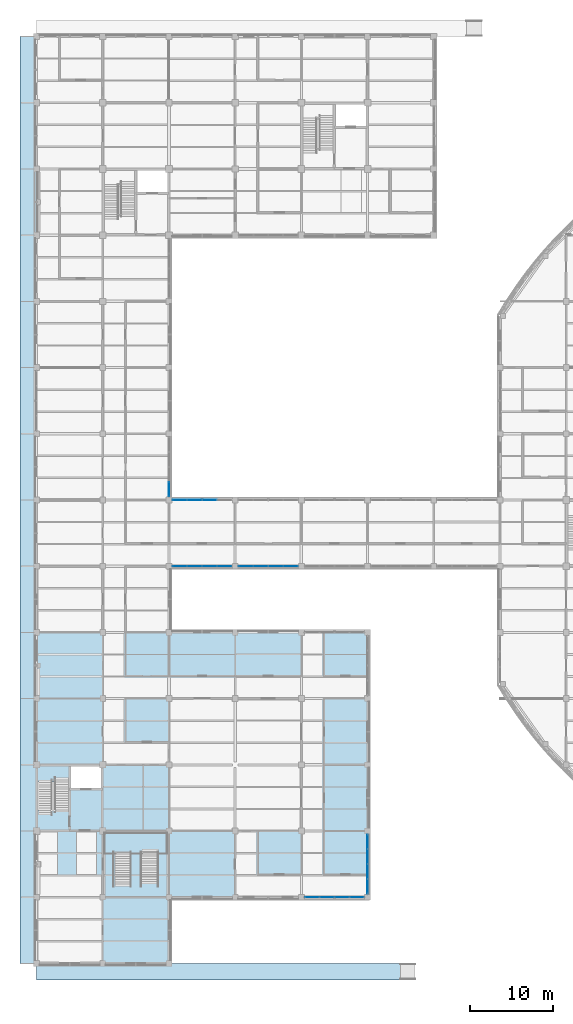
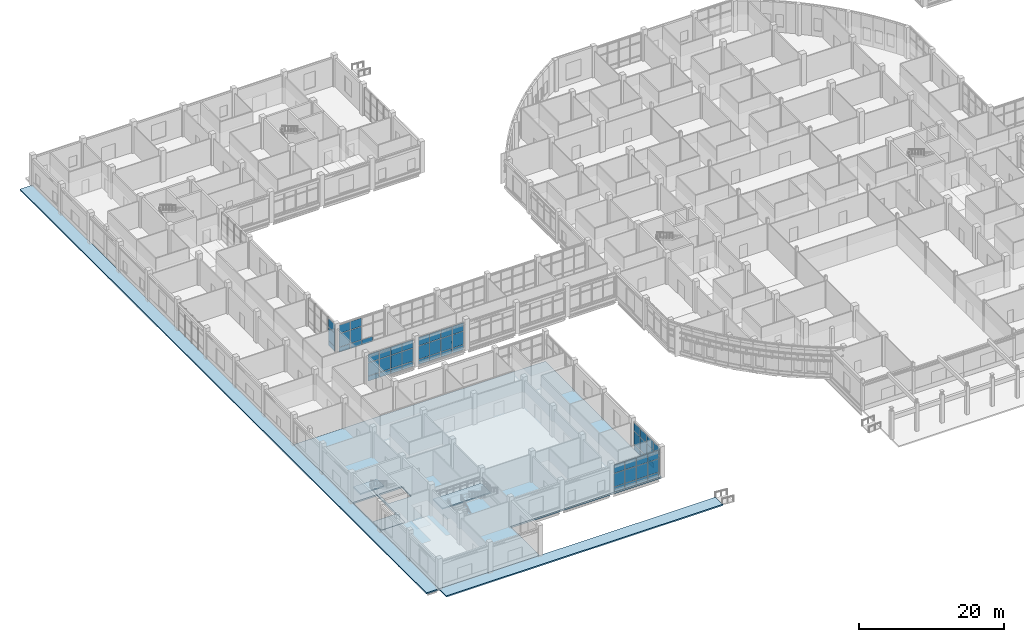
# One storey, part 48 of 105: 58 plates, 6 slabs, 8 elements without a shape of their own.
"""IFC4 building model written with IfcOpenShell, lengths in metres."""

import ifcopenshell
import ifcopenshell.guid

model = None  # the IFC model being written
_history = None  # IfcOwnerHistory: only IFC2X3 demands one
_inside = {}  # id of a spatial element -> (the spatial element, [elements in it])
_under = {}  # id of a project, library or spatial element -> (it, [spatial elements below it])
_declared = {}  # id of a project -> (the project, [libraries it declares])
_typed = {}  # id of a type object -> (the type object, [elements of that type])
_made_of = {}  # id of a material, layer set ... -> (it, [elements and type objects made of it])


def new_model(schema):
    """Start an empty IFC model of exactly this schema.

    Asked for "IFC4X3", IfcOpenShell would pick the latest addendum, in which some entities
    have other attributes; the version numbers below select the first issue.
    IFC2X3 requires an IfcOwnerHistory on every rooted entity: one is made here for all.
    """
    global model, _history
    if schema == "IFC4X3":
        model = ifcopenshell.file(schema_version=(4, 3, 0, 0))
    else:
        model = ifcopenshell.file(schema=schema)
    _inside.clear()
    _under.clear()
    _declared.clear()
    _typed.clear()
    _made_of.clear()
    _history = None
    if model.schema == "IFC2X3":
        org = make("IfcOrganization", Name="unknown")
        user = make(
            "IfcPersonAndOrganization",
            ThePerson=make("IfcPerson", FamilyName="unknown"),
            TheOrganization=org,
        )
        app = make(
            "IfcApplication",
            ApplicationDeveloper=org,
            Version="unknown",
            ApplicationFullName="unknown",
            ApplicationIdentifier="unknown",
        )
        _history = make(
            "IfcOwnerHistory",
            OwningUser=user,
            OwningApplication=app,
            ChangeAction="ADDED",
            CreationDate=0,
        )
    return model


def make(cls, **values):
    """One entity of the class cls with the attributes given. An attribute that is None is left unset."""
    return model.create_entity(
        cls, **{name: value for name, value in values.items() if value is not None}
    )


def rooted(cls, **values):
    """An entity with a GlobalId (a new one), such as an element, a storey or a relation."""
    return make(cls, GlobalId=ifcopenshell.guid.new(), OwnerHistory=_history, **values)


def si_unit(unit_type, name, prefix=None):
    """IfcSIUnit, for example si_unit("LENGTHUNIT", "METRE", prefix="MILLI")."""
    return make("IfcSIUnit", UnitType=unit_type, Prefix=prefix, Name=name)


def derived_unit(unit_type, elements):
    """IfcDerivedUnit: a product of units, each with its exponent."""
    return make(
        "IfcDerivedUnit",
        Elements=[
            make("IfcDerivedUnitElement", Unit=unit, Exponent=power)
            for unit, power in elements
        ],
        UnitType=unit_type,
    )


def assignment(units):
    """IfcUnitAssignment: the units of a project."""
    return None if units is None else make("IfcUnitAssignment", Units=units)


def point(xyz):
    """IfcCartesianPoint."""
    return None if xyz is None else make("IfcCartesianPoint", Coordinates=xyz)


def direction(xyz):
    """IfcDirection."""
    return None if xyz is None else make("IfcDirection", DirectionRatios=xyz)


def frame(location, z_axis=None, x_axis=None):
    """IfcAxis2Placement3D, a coordinate frame: its origin and axes. An axis left out is left unset."""
    return make(
        "IfcAxis2Placement3D",
        Location=point(location),
        Axis=direction(z_axis),
        RefDirection=direction(x_axis),
    )


def frame_2d(location, x_axis=None):
    """IfcAxis2Placement2D, a coordinate frame in the plane: its origin and x axis."""
    return make(
        "IfcAxis2Placement2D", Location=point(location), RefDirection=direction(x_axis)
    )


def origin():
    """The frame at (0, 0, 0) with its axes left unset."""
    return frame((0.0, 0.0, 0.0))


def origin_2d():
    """The frame at (0, 0) in the plane with its x axis left unset."""
    return frame_2d((0.0, 0.0))


def place(relative_to, where):
    """IfcLocalPlacement: puts the frame where relative to a parent placement (None: the world)."""
    return make(
        "IfcLocalPlacement", PlacementRelTo=relative_to, RelativePlacement=where
    )


def context(
    kind, dimensions, precision=None, world=None, true_north=None, identifier=None
):
    """IfcGeometricRepresentationContext, for example the 3D "Model" context."""
    return make(
        "IfcGeometricRepresentationContext",
        ContextIdentifier=identifier,
        ContextType=kind,
        CoordinateSpaceDimension=dimensions,
        Precision=precision,
        WorldCoordinateSystem=world,
        TrueNorth=true_north,
    )


def subcontext(parent, identifier, kind, view, scale=None):
    """IfcGeometricRepresentationSubContext, for example "Body" below "Model"."""
    return make(
        "IfcGeometricRepresentationSubContext",
        ContextIdentifier=identifier,
        ContextType=kind,
        ParentContext=parent,
        TargetScale=scale,
        TargetView=view,
    )


def project(units=None, contexts=None):
    """IfcProject with its units and contexts."""
    return rooted(
        "IfcProject",
        Name="project",
        RepresentationContexts=contexts,
        UnitsInContext=assignment(units),
    )


def spatial(cls, under=None, at=None, **own):
    """A site, building, storey or space (cls), placed at a placement, below another one or the project."""
    s = rooted(cls, ObjectPlacement=at, **own)
    if under is not None:
        _under.setdefault(under.id(), (under, []))[1].append(s)
    return s


def polyline(points):
    """IfcPolyline through the points."""
    return make("IfcPolyline", Points=[point(p) for p in points])


def profile(cls, at=None, kind="AREA", **sizes):
    """A parametric profile (cls). Its sizes go by their IFC names, for example OverallWidth=200.0."""
    return make(cls, ProfileType=kind, Position=at, **sizes)


def rectangle(**sizes):
    """IfcRectangleProfileDef."""
    return profile("IfcRectangleProfileDef", **sizes)


def outline(outer, holes=None, kind="AREA"):
    """IfcArbitraryClosedProfileDef: a profile drawn as a closed curve; with holes, ...WithVoids."""
    if holes is None:
        return make("IfcArbitraryClosedProfileDef", ProfileType=kind, OuterCurve=outer)
    return make(
        "IfcArbitraryProfileDefWithVoids",
        ProfileType=kind,
        OuterCurve=outer,
        InnerCurves=holes,
    )


def extrude(swept, where, along, depth):
    """IfcExtrudedAreaSolid: the profile swept, set in the frame where, extruded along a direction by depth."""
    return make(
        "IfcExtrudedAreaSolid",
        SweptArea=swept,
        Position=where,
        ExtrudedDirection=direction(along),
        Depth=depth,
    )


def shape(context_of_items, identifier, shape_type, items):
    """IfcShapeRepresentation: the items that make up one representation, for example the "Body"."""
    return make(
        "IfcShapeRepresentation",
        ContextOfItems=context_of_items,
        RepresentationIdentifier=identifier,
        RepresentationType=shape_type,
        Items=items,
    )


def material(Name=None, Category=None):
    """IfcMaterial."""
    return make("IfcMaterial", Name=Name, Category=Category)


def layer(
    of_material, thickness, ventilated=None, Name=None, Category=None, Priority=None
):
    """IfcMaterialLayer: one layer of a wall or slab, of a material (None: an air gap)."""
    return make(
        "IfcMaterialLayer",
        Material=of_material,
        LayerThickness=thickness,
        IsVentilated=ventilated,
        Name=Name,
        Category=Category,
        Priority=Priority,
    )


def layer_set(layers, Name=None):
    """IfcMaterialLayerSet."""
    return make("IfcMaterialLayerSet", MaterialLayers=layers, LayerSetName=Name)


def made_of(thing, what):
    """Note that an element or type object is made of a material, layer set ...; save() writes the relation."""
    if what is not None:
        _made_of.setdefault(what.id(), (what, []))[1].append(thing)
    return thing


def type_object(cls, material=None, **own):
    """A type object (cls), such as IfcWallType, which elements share."""
    return made_of(rooted(cls, **own), material)


def element(
    cls,
    number,
    at=None,
    inside=None,
    cuts=None,
    type_object=None,
    material=None,
    context=None,
    identifier="Body",
    shape_type=None,
    held_by="IfcProductDefinitionShape",
    body=None,
    shapes=None,
    **own,
):
    """One element of the class cls, such as IfcWall. Its Tag is "e" and its number.

    at: its placement. inside: the storey or other place that contains it. cuts: it is an
    opening in that element (IfcRelVoidsElement). A single representation is given by context,
    identifier, shape_type and body (its items); several are given by shapes. held_by: the class
    of the entity that holds the representations. save() writes the other relations.
    """
    e = rooted(cls, Tag="e%d" % number, ObjectPlacement=at, **own)
    if body is not None:
        shapes = [shape(context, identifier, shape_type, body)]
    if shapes is not None:
        e.Representation = make(held_by, Representations=shapes)
    if inside is not None:
        _inside.setdefault(inside.id(), (inside, []))[1].append(e)
    if cuts is not None:
        rooted(
            "IfcRelVoidsElement", RelatingBuildingElement=cuts, RelatedOpeningElement=e
        )
    if type_object is not None:
        _typed.setdefault(type_object.id(), (type_object, []))[1].append(e)
    return made_of(e, material)


def aggregate(whole, parts):
    """IfcRelAggregates: a whole, such as a stair, and the parts it consists of."""
    return rooted("IfcRelAggregates", RelatingObject=whole, RelatedObjects=parts)


def save(model, path):
    """Write the relations noted so far, then the file.

    IfcRelAggregates (storeys below a building ...), IfcRelContainedInSpatialStructure (elements
    in a storey), IfcRelDefinesByType, IfcRelAssociatesMaterial and IfcRelDeclares: one each for
    every whole, place, type object, material and project.
    """
    for whole, parts in _under.values():
        aggregate(whole, parts)
    for where, things in _inside.values():
        rooted(
            "IfcRelContainedInSpatialStructure",
            RelatedElements=things,
            RelatingStructure=where,
        )
    for kind, things in _typed.values():
        rooted("IfcRelDefinesByType", RelatedObjects=things, RelatingType=kind)
    for what, things in _made_of.values():
        rooted("IfcRelAssociatesMaterial", RelatedObjects=things, RelatingMaterial=what)
    for by, libraries in _declared.values():
        rooted("IfcRelDeclares", RelatingContext=by, RelatedDefinitions=libraries)
    model.write(path)


model = new_model("IFC4")

# Units and contexts
model_context = context("Model", 3, precision=1e-05, world=origin(), true_north=direction((0.0, 1.0)))
body_context = subcontext(model_context, "Body", "Model", "MODEL_VIEW")
ifc_project = project(units=[si_unit("LENGTHUNIT", "METRE"), si_unit("AREAUNIT", "SQUARE_METRE"), si_unit("VOLUMEUNIT", "CUBIC_METRE"), si_unit("PLANEANGLEUNIT", "RADIAN"), si_unit("MASSUNIT", "GRAM", prefix="KILO"), derived_unit("THERMALTRANSMITTANCEUNIT", [(si_unit("MASSUNIT", "GRAM", prefix="KILO"), 1), (si_unit("TIMEUNIT", "SECOND"), -3), (si_unit("THERMODYNAMICTEMPERATUREUNIT", "KELVIN"), -1)])], contexts=[model_context])

# Site, building, storey
site_placement = place(None, origin())
site = spatial("IfcSite", under=ifc_project, at=site_placement, CompositionType="ELEMENT")
building_placement = place(site_placement, origin())
building = spatial("IfcBuilding", under=site, at=building_placement, Name="Veyamyaing Civic Hall", CompositionType="ELEMENT")
storey_placement = place(building_placement, origin())
storey = spatial("IfcBuildingStorey", under=building, at=storey_placement, Name="L00", CompositionType="ELEMENT", Elevation=0.0)

# Curtain wall, plates
ifc_material_1 = material(Name="Anodised aluminium 6063-T6", Category="aluminium")
ifc_layer_1 = layer(ifc_material_1, 0.199951171875, Name="Anodised aluminium 6063-T6")
ifc_layer_set_1 = layer_set([ifc_layer_1], Name="Anodised aluminium 6063-T6")
curtain_wall_type_1 = type_object("IfcCurtainWallType", Name="CW-10", PredefinedType="NOTDEFINED", material=ifc_layer_set_1)
curtain_wall_1_placement = place(storey_placement, origin())
curtain_wall_1 = element("IfcCurtainWall", 1, at=curtain_wall_1_placement, inside=storey, type_object=curtain_wall_type_1, Name="Unitized curtain wall CW-10 L00 S 5.2", PredefinedType="NOTDEFINED")
ifc_material_2 = material(Name="Low-E insulated glass", Category="glass")
ifc_layer_2 = layer(ifc_material_2, 0.028076171875, Name="Low-E insulated glass")
ifc_layer_set_2 = layer_set([ifc_layer_2], Name="Low-E insulated glass")
plate_type_1 = type_object("IfcPlateType", Name="CWP-01", PredefinedType="CURTAIN_PANEL", material=ifc_layer_set_2)
plate_1_placement = place(storey_placement, frame((33.302490234375, 8.0, 0.070068359375), z_axis=(0.0, 0.0, 1.0), x_axis=(1.0, 0.0, 0.0)))
plate_1 = element("IfcPlate", 2, at=plate_1_placement, type_object=plate_type_1, Name="CW-10 panel 1.1", PredefinedType="CURTAIN_PANEL", context=body_context, shape_type="SweptSolid", body=[
    extrude(rectangle(XDim=1.705078125, YDim=0.028076171875, at=origin_2d()), origin(), (0.0, 0.0, 1.0), 0.794921875),
])
plate_2_placement = place(storey_placement, frame((33.302490234375, 8.0, 0.93505859375), z_axis=(0.0, 0.0, 1.0), x_axis=(1.0, 0.0, 0.0)))
plate_2 = element("IfcPlate", 3, at=plate_2_placement, type_object=plate_type_1, Name="CW-10 panel 1.2", PredefinedType="CURTAIN_PANEL", context=body_context, shape_type="SweptSolid", body=[
    extrude(rectangle(XDim=1.705078125, YDim=0.028076171875, at=origin_2d()), origin(), (0.0, 0.0, 1.0), 2.208251953125),
])
plate_3_placement = place(storey_placement, frame((33.302490234375, 8.0, 3.21337890625), z_axis=(0.0, 0.0, 1.0), x_axis=(1.0, 0.0, 0.0)))
plate_3 = element("IfcPlate", 4, at=plate_3_placement, type_object=plate_type_1, Name="CW-10 panel 1.3", PredefinedType="CURTAIN_PANEL", context=body_context, shape_type="SweptSolid", body=[
    extrude(rectangle(XDim=1.705078125, YDim=0.028076171875, at=origin_2d()), origin(), (0.0, 0.0, 1.0), 1.390625),
])
plate_4_placement = place(storey_placement, frame((35.094970703125, 8.0, 0.070068359375), z_axis=(0.0, 0.0, 1.0), x_axis=(1.0, 0.0, 0.0)))
plate_4 = element("IfcPlate", 5, at=plate_4_placement, type_object=plate_type_1, Name="CW-10 panel 2.1", PredefinedType="CURTAIN_PANEL", context=body_context, shape_type="SweptSolid", body=[
    extrude(rectangle(XDim=1.739990234375, YDim=0.028076171875, at=origin_2d()), origin(), (0.0, 0.0, 1.0), 0.794921875),
])
plate_5_placement = place(storey_placement, frame((35.094970703125, 8.0, 0.93505859375), z_axis=(0.0, 0.0, 1.0), x_axis=(1.0, 0.0, 0.0)))
plate_5 = element("IfcPlate", 6, at=plate_5_placement, type_object=plate_type_1, Name="CW-10 panel 2.2", PredefinedType="CURTAIN_PANEL", context=body_context, shape_type="SweptSolid", body=[
    extrude(rectangle(XDim=1.739990234375, YDim=0.028076171875, at=origin_2d()), origin(), (0.0, 0.0, 1.0), 2.208251953125),
])
plate_6_placement = place(storey_placement, frame((35.094970703125, 8.0, 3.21337890625), z_axis=(0.0, 0.0, 1.0), x_axis=(1.0, 0.0, 0.0)))
plate_6 = element("IfcPlate", 7, at=plate_6_placement, type_object=plate_type_1, Name="CW-10 panel 2.3", PredefinedType="CURTAIN_PANEL", context=body_context, shape_type="SweptSolid", body=[
    extrude(rectangle(XDim=1.739990234375, YDim=0.028076171875, at=origin_2d()), origin(), (0.0, 0.0, 1.0), 1.390625),
])
plate_7_placement = place(storey_placement, frame((36.905029296875, 8.0, 0.070068359375), z_axis=(0.0, 0.0, 1.0), x_axis=(1.0, 0.0, 0.0)))
plate_7 = element("IfcPlate", 8, at=plate_7_placement, type_object=plate_type_1, Name="CW-10 panel 3.1", PredefinedType="CURTAIN_PANEL", context=body_context, shape_type="SweptSolid", body=[
    extrude(rectangle(XDim=1.739990234375, YDim=0.028076171875, at=origin_2d()), origin(), (0.0, 0.0, 1.0), 0.794921875),
])
plate_8_placement = place(storey_placement, frame((36.905029296875, 8.0, 0.93505859375), z_axis=(0.0, 0.0, 1.0), x_axis=(1.0, 0.0, 0.0)))
plate_8 = element("IfcPlate", 9, at=plate_8_placement, type_object=plate_type_1, Name="CW-10 panel 3.2", PredefinedType="CURTAIN_PANEL", context=body_context, shape_type="SweptSolid", body=[
    extrude(rectangle(XDim=1.739990234375, YDim=0.028076171875, at=origin_2d()), origin(), (0.0, 0.0, 1.0), 2.208251953125),
])
plate_9_placement = place(storey_placement, frame((36.905029296875, 8.0, 3.21337890625), z_axis=(0.0, 0.0, 1.0), x_axis=(1.0, 0.0, 0.0)))
plate_9 = element("IfcPlate", 10, at=plate_9_placement, type_object=plate_type_1, Name="CW-10 panel 3.3", PredefinedType="CURTAIN_PANEL", context=body_context, shape_type="SweptSolid", body=[
    extrude(rectangle(XDim=1.739990234375, YDim=0.028076171875, at=origin_2d()), origin(), (0.0, 0.0, 1.0), 1.390625),
])
plate_10_placement = place(storey_placement, frame((38.697509765625, 8.0, 0.070068359375), z_axis=(0.0, 0.0, 1.0), x_axis=(1.0, 0.0, 0.0)))
plate_10 = element("IfcPlate", 11, at=plate_10_placement, type_object=plate_type_1, Name="CW-10 panel 4.1", PredefinedType="CURTAIN_PANEL", context=body_context, shape_type="SweptSolid", body=[
    extrude(rectangle(XDim=1.705078125, YDim=0.028076171875, at=origin_2d()), origin(), (0.0, 0.0, 1.0), 0.794921875),
])
plate_11_placement = place(storey_placement, frame((38.697509765625, 8.0, 0.93505859375), z_axis=(0.0, 0.0, 1.0), x_axis=(1.0, 0.0, 0.0)))
plate_11 = element("IfcPlate", 12, at=plate_11_placement, type_object=plate_type_1, Name="CW-10 panel 4.2", PredefinedType="CURTAIN_PANEL", context=body_context, shape_type="SweptSolid", body=[
    extrude(rectangle(XDim=1.705078125, YDim=0.028076171875, at=origin_2d()), origin(), (0.0, 0.0, 1.0), 2.208251953125),
])
plate_12_placement = place(storey_placement, frame((38.697509765625, 8.0, 3.21337890625), z_axis=(0.0, 0.0, 1.0), x_axis=(1.0, 0.0, 0.0)))
plate_12 = element("IfcPlate", 13, at=plate_12_placement, type_object=plate_type_1, Name="CW-10 panel 4.3", PredefinedType="CURTAIN_PANEL", context=body_context, shape_type="SweptSolid", body=[
    extrude(rectangle(XDim=1.705078125, YDim=0.028076171875, at=origin_2d()), origin(), (0.0, 0.0, 1.0), 1.390625),
])
aggregate(curtain_wall_1, [plate_1, plate_2, plate_3, plate_4, plate_5, plate_6, plate_7, plate_8, plate_9, plate_10, plate_11, plate_12])

curtain_wall_2_placement = place(storey_placement, origin())
curtain_wall_2 = element("IfcCurtainWall", 14, at=curtain_wall_2_placement, inside=storey, type_object=curtain_wall_type_1, Name="Unitized curtain wall CW-10 L00 E 5.2", PredefinedType="NOTDEFINED")
plate_13_placement = place(storey_placement, frame((40.0, 9.302490234375, 0.070068359375), z_axis=(0.0, 0.0, 1.0), x_axis=(0.0, 1.0, 0.0)))
plate_13 = element("IfcPlate", 15, at=plate_13_placement, type_object=plate_type_1, Name="CW-10 panel 1.1", PredefinedType="CURTAIN_PANEL", context=body_context, shape_type="SweptSolid", body=[
    extrude(rectangle(XDim=1.705078125, YDim=0.028076171875, at=origin_2d()), origin(), (0.0, 0.0, 1.0), 0.794921875),
])
plate_14_placement = place(storey_placement, frame((40.0, 9.302490234375, 0.93505859375), z_axis=(0.0, 0.0, 1.0), x_axis=(0.0, 1.0, 0.0)))
plate_14 = element("IfcPlate", 16, at=plate_14_placement, type_object=plate_type_1, Name="CW-10 panel 1.2", PredefinedType="CURTAIN_PANEL", context=body_context, shape_type="SweptSolid", body=[
    extrude(rectangle(XDim=1.705078125, YDim=0.028076171875, at=origin_2d()), origin(), (0.0, 0.0, 1.0), 2.16748046875),
])
plate_15_placement = place(storey_placement, frame((40.0, 9.302490234375, 3.17236328125), z_axis=(0.0, 0.0, 1.0), x_axis=(0.0, 1.0, 0.0)))
plate_15 = element("IfcPlate", 17, at=plate_15_placement, type_object=plate_type_1, Name="CW-10 panel 1.3", PredefinedType="CURTAIN_PANEL", context=body_context, shape_type="SweptSolid", body=[
    extrude(rectangle(XDim=1.705078125, YDim=0.028076171875, at=origin_2d()), origin(), (0.0, 0.0, 1.0), 1.37158203125),
])
plate_16_placement = place(storey_placement, frame((40.0, 11.094970703125, 0.070068359375), z_axis=(0.0, 0.0, 1.0), x_axis=(0.0, 1.0, 0.0)))
plate_16 = element("IfcPlate", 18, at=plate_16_placement, type_object=plate_type_1, Name="CW-10 panel 2.1", PredefinedType="CURTAIN_PANEL", context=body_context, shape_type="SweptSolid", body=[
    extrude(rectangle(XDim=1.739990234375, YDim=0.028076171875, at=origin_2d()), origin(), (0.0, 0.0, 1.0), 0.794921875),
])
plate_17_placement = place(storey_placement, frame((40.0, 11.094970703125, 0.93505859375), z_axis=(0.0, 0.0, 1.0), x_axis=(0.0, 1.0, 0.0)))
plate_17 = element("IfcPlate", 19, at=plate_17_placement, type_object=plate_type_1, Name="CW-10 panel 2.2", PredefinedType="CURTAIN_PANEL", context=body_context, shape_type="SweptSolid", body=[
    extrude(rectangle(XDim=1.739990234375, YDim=0.028076171875, at=origin_2d()), origin(), (0.0, 0.0, 1.0), 2.16748046875),
])
plate_18_placement = place(storey_placement, frame((40.0, 11.094970703125, 3.17236328125), z_axis=(0.0, 0.0, 1.0), x_axis=(0.0, 1.0, 0.0)))
plate_18 = element("IfcPlate", 20, at=plate_18_placement, type_object=plate_type_1, Name="CW-10 panel 2.3", PredefinedType="CURTAIN_PANEL", context=body_context, shape_type="SweptSolid", body=[
    extrude(rectangle(XDim=1.739990234375, YDim=0.028076171875, at=origin_2d()), origin(), (0.0, 0.0, 1.0), 1.37158203125),
])
plate_19_placement = place(storey_placement, frame((40.0, 12.905029296875, 0.070068359375), z_axis=(0.0, 0.0, 1.0), x_axis=(0.0, 1.0, 0.0)))
plate_19 = element("IfcPlate", 21, at=plate_19_placement, type_object=plate_type_1, Name="CW-10 panel 3.1", PredefinedType="CURTAIN_PANEL", context=body_context, shape_type="SweptSolid", body=[
    extrude(rectangle(XDim=1.739990234375, YDim=0.028076171875, at=origin_2d()), origin(), (0.0, 0.0, 1.0), 0.794921875),
])
plate_20_placement = place(storey_placement, frame((40.0, 12.905029296875, 0.93505859375), z_axis=(0.0, 0.0, 1.0), x_axis=(0.0, 1.0, 0.0)))
plate_20 = element("IfcPlate", 22, at=plate_20_placement, type_object=plate_type_1, Name="CW-10 panel 3.2", PredefinedType="CURTAIN_PANEL", context=body_context, shape_type="SweptSolid", body=[
    extrude(rectangle(XDim=1.739990234375, YDim=0.028076171875, at=origin_2d()), origin(), (0.0, 0.0, 1.0), 2.16748046875),
])
plate_21_placement = place(storey_placement, frame((40.0, 12.905029296875, 3.17236328125), z_axis=(0.0, 0.0, 1.0), x_axis=(0.0, 1.0, 0.0)))
plate_21 = element("IfcPlate", 23, at=plate_21_placement, type_object=plate_type_1, Name="CW-10 panel 3.3", PredefinedType="CURTAIN_PANEL", context=body_context, shape_type="SweptSolid", body=[
    extrude(rectangle(XDim=1.739990234375, YDim=0.028076171875, at=origin_2d()), origin(), (0.0, 0.0, 1.0), 1.37158203125),
])
plate_22_placement = place(storey_placement, frame((40.0, 14.697509765625, 0.070068359375), z_axis=(0.0, 0.0, 1.0), x_axis=(0.0, 1.0, 0.0)))
plate_22 = element("IfcPlate", 24, at=plate_22_placement, type_object=plate_type_1, Name="CW-10 panel 4.1", PredefinedType="CURTAIN_PANEL", context=body_context, shape_type="SweptSolid", body=[
    extrude(rectangle(XDim=1.705078125, YDim=0.028076171875, at=origin_2d()), origin(), (0.0, 0.0, 1.0), 0.794921875),
])
plate_23_placement = place(storey_placement, frame((40.0, 14.697509765625, 0.93505859375), z_axis=(0.0, 0.0, 1.0), x_axis=(0.0, 1.0, 0.0)))
plate_23 = element("IfcPlate", 25, at=plate_23_placement, type_object=plate_type_1, Name="CW-10 panel 4.2", PredefinedType="CURTAIN_PANEL", context=body_context, shape_type="SweptSolid", body=[
    extrude(rectangle(XDim=1.705078125, YDim=0.028076171875, at=origin_2d()), origin(), (0.0, 0.0, 1.0), 2.16748046875),
])
plate_24_placement = place(storey_placement, frame((40.0, 14.697509765625, 3.17236328125), z_axis=(0.0, 0.0, 1.0), x_axis=(0.0, 1.0, 0.0)))
plate_24 = element("IfcPlate", 26, at=plate_24_placement, type_object=plate_type_1, Name="CW-10 panel 4.3", PredefinedType="CURTAIN_PANEL", context=body_context, shape_type="SweptSolid", body=[
    extrude(rectangle(XDim=1.705078125, YDim=0.028076171875, at=origin_2d()), origin(), (0.0, 0.0, 1.0), 1.37158203125),
])
aggregate(curtain_wall_2, [plate_13, plate_14, plate_15, plate_16, plate_17, plate_18, plate_19, plate_20, plate_21, plate_22, plate_23, plate_24])

ifc_layer_3 = layer(ifc_material_1, 0.159912109375, Name="Anodised aluminium 6063-T6")
ifc_layer_set_3 = layer_set([ifc_layer_3], Name="Anodised aluminium 6063-T6")
curtain_wall_type_2 = type_object("IfcCurtainWallType", Name="CW-01", PredefinedType="NOTDEFINED", material=ifc_layer_set_3)
curtain_wall_3_placement = place(storey_placement, origin())
curtain_wall_3 = element("IfcCurtainWall", 27, at=curtain_wall_3_placement, inside=storey, type_object=curtain_wall_type_2, Name="Unitized curtain wall CW-01 L00 E 2.8", PredefinedType="NOTDEFINED")
ifc_layer_4 = layer(ifc_material_2, 0.02392578125, Name="Low-E insulated glass")
ifc_layer_set_4 = layer_set([ifc_layer_4], Name="Low-E insulated glass")
plate_type_2 = type_object("IfcPlateType", Name="CWP-04", PredefinedType="CURTAIN_PANEL", material=ifc_layer_set_4)
plate_25_placement = place(storey_placement, frame((16.0, 57.30126953125, 0.06494140625), z_axis=(0.0, 0.0, 1.0), x_axis=(0.0, 1.0, 0.0)))
plate_25 = element("IfcPlate", 28, at=plate_25_placement, type_object=plate_type_2, Name="CW-01 panel 1.1", PredefinedType="CURTAIN_PANEL", context=body_context, shape_type="SweptSolid", body=[
    extrude(rectangle(XDim=1.71240234375, YDim=0.02392578125, at=origin_2d()), origin(), (0.0, 0.0, 1.0), 0.802490234375),
])
plate_26_placement = place(storey_placement, frame((16.0, 57.30126953125, 0.932373046875), z_axis=(0.0, 0.0, 1.0), x_axis=(0.0, 1.0, 0.0)))
plate_26 = element("IfcPlate", 29, at=plate_26_placement, type_object=plate_type_2, Name="CW-01 panel 1.2", PredefinedType="CURTAIN_PANEL", context=body_context, shape_type="SweptSolid", body=[
    extrude(rectangle(XDim=1.71240234375, YDim=0.02392578125, at=origin_2d()), origin(), (0.0, 0.0, 1.0), 2.216796875),
])
plate_27_placement = place(storey_placement, frame((16.0, 57.30126953125, 3.214111328125), z_axis=(0.0, 0.0, 1.0), x_axis=(0.0, 1.0, 0.0)))
plate_27 = element("IfcPlate", 30, at=plate_27_placement, type_object=plate_type_2, Name="CW-01 panel 1.3", PredefinedType="CURTAIN_PANEL", context=body_context, shape_type="SweptSolid", body=[
    extrude(rectangle(XDim=1.71240234375, YDim=0.02392578125, at=origin_2d()), origin(), (0.0, 0.0, 1.0), 1.39990234375),
])
aggregate(curtain_wall_3, [plate_25, plate_26, plate_27])

curtain_wall_4_placement = place(storey_placement, origin())
curtain_wall_4 = element("IfcCurtainWall", 31, at=curtain_wall_4_placement, inside=storey, type_object=curtain_wall_type_2, Name="Unitized curtain wall CW-01 L00 S 3.7", PredefinedType="NOTDEFINED")
plate_28_placement = place(storey_placement, frame((17.30126953125, 48.0, 0.06494140625), z_axis=(0.0, 0.0, 1.0), x_axis=(1.0, 0.0, 0.0)))
plate_28 = element("IfcPlate", 32, at=plate_28_placement, type_object=plate_type_2, Name="CW-01 panel 1.1", PredefinedType="CURTAIN_PANEL", context=body_context, shape_type="SweptSolid", body=[
    extrude(rectangle(XDim=1.71240234375, YDim=0.02392578125, at=origin_2d()), origin(), (0.0, 0.0, 1.0), 0.802490234375),
])
plate_29_placement = place(storey_placement, frame((17.30126953125, 48.0, 0.932373046875), z_axis=(0.0, 0.0, 1.0), x_axis=(1.0, 0.0, 0.0)))
plate_29 = element("IfcPlate", 33, at=plate_29_placement, type_object=plate_type_2, Name="CW-01 panel 1.2", PredefinedType="CURTAIN_PANEL", context=body_context, shape_type="SweptSolid", body=[
    extrude(rectangle(XDim=1.71240234375, YDim=0.02392578125, at=origin_2d()), origin(), (0.0, 0.0, 1.0), 2.169921875),
])
plate_30_placement = place(storey_placement, frame((17.30126953125, 48.0, 3.16748046875), z_axis=(0.0, 0.0, 1.0), x_axis=(1.0, 0.0, 0.0)))
plate_30 = element("IfcPlate", 34, at=plate_30_placement, type_object=plate_type_2, Name="CW-01 panel 1.3", PredefinedType="CURTAIN_PANEL", context=body_context, shape_type="SweptSolid", body=[
    extrude(rectangle(XDim=1.71240234375, YDim=0.02392578125, at=origin_2d()), origin(), (0.0, 0.0, 1.0), 1.377685546875),
])
plate_31_placement = place(storey_placement, frame((19.094970703125, 48.0, 0.06494140625), z_axis=(0.0, 0.0, 1.0), x_axis=(1.0, 0.0, 0.0)))
plate_31 = element("IfcPlate", 35, at=plate_31_placement, type_object=plate_type_2, Name="CW-01 panel 2.1", PredefinedType="CURTAIN_PANEL", context=body_context, shape_type="SweptSolid", body=[
    extrude(rectangle(XDim=1.7451171875, YDim=0.02392578125, at=origin_2d()), origin(), (0.0, 0.0, 1.0), 0.802490234375),
])
plate_32_placement = place(storey_placement, frame((19.094970703125, 48.0, 0.932373046875), z_axis=(0.0, 0.0, 1.0), x_axis=(1.0, 0.0, 0.0)))
plate_32 = element("IfcPlate", 36, at=plate_32_placement, type_object=plate_type_2, Name="CW-01 panel 2.2", PredefinedType="CURTAIN_PANEL", context=body_context, shape_type="SweptSolid", body=[
    extrude(rectangle(XDim=1.7451171875, YDim=0.02392578125, at=origin_2d()), origin(), (0.0, 0.0, 1.0), 2.169921875),
])
plate_33_placement = place(storey_placement, frame((19.094970703125, 48.0, 3.16748046875), z_axis=(0.0, 0.0, 1.0), x_axis=(1.0, 0.0, 0.0)))
plate_33 = element("IfcPlate", 37, at=plate_33_placement, type_object=plate_type_2, Name="CW-01 panel 2.3", PredefinedType="CURTAIN_PANEL", context=body_context, shape_type="SweptSolid", body=[
    extrude(rectangle(XDim=1.7451171875, YDim=0.02392578125, at=origin_2d()), origin(), (0.0, 0.0, 1.0), 1.377685546875),
])
plate_34_placement = place(storey_placement, frame((20.905029296875, 48.0, 0.06494140625), z_axis=(0.0, 0.0, 1.0), x_axis=(1.0, 0.0, 0.0)))
plate_34 = element("IfcPlate", 38, at=plate_34_placement, type_object=plate_type_2, Name="CW-01 panel 3.1", PredefinedType="CURTAIN_PANEL", context=body_context, shape_type="SweptSolid", body=[
    extrude(rectangle(XDim=1.7451171875, YDim=0.02392578125, at=origin_2d()), origin(), (0.0, 0.0, 1.0), 0.802490234375),
])
plate_35_placement = place(storey_placement, frame((20.905029296875, 48.0, 0.932373046875), z_axis=(0.0, 0.0, 1.0), x_axis=(1.0, 0.0, 0.0)))
plate_35 = element("IfcPlate", 39, at=plate_35_placement, type_object=plate_type_2, Name="CW-01 panel 3.2", PredefinedType="CURTAIN_PANEL", context=body_context, shape_type="SweptSolid", body=[
    extrude(rectangle(XDim=1.7451171875, YDim=0.02392578125, at=origin_2d()), origin(), (0.0, 0.0, 1.0), 2.169921875),
])
plate_36_placement = place(storey_placement, frame((20.905029296875, 48.0, 3.16748046875), z_axis=(0.0, 0.0, 1.0), x_axis=(1.0, 0.0, 0.0)))
plate_36 = element("IfcPlate", 40, at=plate_36_placement, type_object=plate_type_2, Name="CW-01 panel 3.3", PredefinedType="CURTAIN_PANEL", context=body_context, shape_type="SweptSolid", body=[
    extrude(rectangle(XDim=1.7451171875, YDim=0.02392578125, at=origin_2d()), origin(), (0.0, 0.0, 1.0), 1.377685546875),
])
plate_37_placement = place(storey_placement, frame((22.69873046875, 48.0, 0.06494140625), z_axis=(0.0, 0.0, 1.0), x_axis=(1.0, 0.0, 0.0)))
plate_37 = element("IfcPlate", 41, at=plate_37_placement, type_object=plate_type_2, Name="CW-01 panel 4.1", PredefinedType="CURTAIN_PANEL", context=body_context, shape_type="SweptSolid", body=[
    extrude(rectangle(XDim=1.71240234375, YDim=0.02392578125, at=origin_2d()), origin(), (0.0, 0.0, 1.0), 0.802490234375),
])
plate_38_placement = place(storey_placement, frame((22.69873046875, 48.0, 0.932373046875), z_axis=(0.0, 0.0, 1.0), x_axis=(1.0, 0.0, 0.0)))
plate_38 = element("IfcPlate", 42, at=plate_38_placement, type_object=plate_type_2, Name="CW-01 panel 4.2", PredefinedType="CURTAIN_PANEL", context=body_context, shape_type="SweptSolid", body=[
    extrude(rectangle(XDim=1.71240234375, YDim=0.02392578125, at=origin_2d()), origin(), (0.0, 0.0, 1.0), 2.169921875),
])
plate_39_placement = place(storey_placement, frame((22.69873046875, 48.0, 3.16748046875), z_axis=(0.0, 0.0, 1.0), x_axis=(1.0, 0.0, 0.0)))
plate_39 = element("IfcPlate", 43, at=plate_39_placement, type_object=plate_type_2, Name="CW-01 panel 4.3", PredefinedType="CURTAIN_PANEL", context=body_context, shape_type="SweptSolid", body=[
    extrude(rectangle(XDim=1.71240234375, YDim=0.02392578125, at=origin_2d()), origin(), (0.0, 0.0, 1.0), 1.377685546875),
])
aggregate(curtain_wall_4, [plate_28, plate_29, plate_30, plate_31, plate_32, plate_33, plate_34, plate_35, plate_36, plate_37, plate_38, plate_39])

curtain_wall_5_placement = place(storey_placement, origin())
curtain_wall_5 = element("IfcCurtainWall", 44, at=curtain_wall_5_placement, inside=storey, type_object=curtain_wall_type_2, Name="Unitized curtain wall CW-01 L00 N 3.7", PredefinedType="NOTDEFINED")
plate_40_placement = place(storey_placement, frame((17.30126953125, 56.0, 0.06494140625), z_axis=(0.0, 0.0, 1.0), x_axis=(1.0, 0.0, 0.0)))
plate_40 = element("IfcPlate", 45, at=plate_40_placement, type_object=plate_type_2, Name="CW-01 panel 1.1", PredefinedType="CURTAIN_PANEL", context=body_context, shape_type="SweptSolid", body=[
    extrude(rectangle(XDim=1.71240234375, YDim=0.02392578125, at=origin_2d()), origin(), (0.0, 0.0, 1.0), 0.802490234375),
])
plate_41_placement = place(storey_placement, frame((17.30126953125, 56.0, 0.932373046875), z_axis=(0.0, 0.0, 1.0), x_axis=(1.0, 0.0, 0.0)))
plate_41 = element("IfcPlate", 46, at=plate_41_placement, type_object=plate_type_2, Name="CW-01 panel 1.2", PredefinedType="CURTAIN_PANEL", context=body_context, shape_type="SweptSolid", body=[
    extrude(rectangle(XDim=1.71240234375, YDim=0.02392578125, at=origin_2d()), origin(), (0.0, 0.0, 1.0), 2.21337890625),
])
plate_42_placement = place(storey_placement, frame((17.30126953125, 56.0, 3.2109375), z_axis=(0.0, 0.0, 1.0), x_axis=(1.0, 0.0, 0.0)))
plate_42 = element("IfcPlate", 47, at=plate_42_placement, type_object=plate_type_2, Name="CW-01 panel 1.3", PredefinedType="CURTAIN_PANEL", context=body_context, shape_type="SweptSolid", body=[
    extrude(rectangle(XDim=1.71240234375, YDim=0.02392578125, at=origin_2d()), origin(), (0.0, 0.0, 1.0), 1.398193359375),
])
plate_43_placement = place(storey_placement, frame((19.094970703125, 56.0, 0.06494140625), z_axis=(0.0, 0.0, 1.0), x_axis=(1.0, 0.0, 0.0)))
plate_43 = element("IfcPlate", 48, at=plate_43_placement, type_object=plate_type_2, Name="CW-01 panel 2.1", PredefinedType="CURTAIN_PANEL", context=body_context, shape_type="SweptSolid", body=[
    extrude(rectangle(XDim=1.7451171875, YDim=0.02392578125, at=origin_2d()), origin(), (0.0, 0.0, 1.0), 0.802490234375),
])
plate_44_placement = place(storey_placement, frame((19.094970703125, 56.0, 0.932373046875), z_axis=(0.0, 0.0, 1.0), x_axis=(1.0, 0.0, 0.0)))
plate_44 = element("IfcPlate", 49, at=plate_44_placement, type_object=plate_type_2, Name="CW-01 panel 2.2", PredefinedType="CURTAIN_PANEL", context=body_context, shape_type="SweptSolid", body=[
    extrude(rectangle(XDim=1.7451171875, YDim=0.02392578125, at=origin_2d()), origin(), (0.0, 0.0, 1.0), 2.21337890625),
])
plate_45_placement = place(storey_placement, frame((19.094970703125, 56.0, 3.2109375), z_axis=(0.0, 0.0, 1.0), x_axis=(1.0, 0.0, 0.0)))
plate_45 = element("IfcPlate", 50, at=plate_45_placement, type_object=plate_type_2, Name="CW-01 panel 2.3", PredefinedType="CURTAIN_PANEL", context=body_context, shape_type="SweptSolid", body=[
    extrude(rectangle(XDim=1.7451171875, YDim=0.02392578125, at=origin_2d()), origin(), (0.0, 0.0, 1.0), 1.398193359375),
])
plate_46_placement = place(storey_placement, frame((20.905029296875, 56.0, 0.06494140625), z_axis=(0.0, 0.0, 1.0), x_axis=(1.0, 0.0, 0.0)))
plate_46 = element("IfcPlate", 51, at=plate_46_placement, type_object=plate_type_2, Name="CW-01 panel 3.1", PredefinedType="CURTAIN_PANEL", context=body_context, shape_type="SweptSolid", body=[
    extrude(rectangle(XDim=1.7451171875, YDim=0.02392578125, at=origin_2d()), origin(), (0.0, 0.0, 1.0), 0.802490234375),
])
aggregate(curtain_wall_5, [plate_40, plate_41, plate_42, plate_43, plate_44, plate_45, plate_46])

curtain_wall_6_placement = place(storey_placement, origin())
curtain_wall_6 = element("IfcCurtainWall", 52, at=curtain_wall_6_placement, inside=storey, type_object=curtain_wall_type_2, Name="Unitized curtain wall CW-01 L00 S 4.7", PredefinedType="NOTDEFINED")
ifc_layer_5 = layer(ifc_material_2, 0.0400390625, Name="Low-E insulated glass")
ifc_layer_set_5 = layer_set([ifc_layer_5], Name="Low-E insulated glass")
plate_type_3 = type_object("IfcPlateType", Name="CWP-05", PredefinedType="CURTAIN_PANEL", material=ifc_layer_set_5)
plate_47_placement = place(storey_placement, frame((25.30126953125, 48.0, 0.06494140625), z_axis=(0.0, 0.0, 1.0), x_axis=(1.0, 0.0, 0.0)))
plate_47 = element("IfcPlate", 53, at=plate_47_placement, type_object=plate_type_3, Name="CW-01 panel 1.1", PredefinedType="CURTAIN_PANEL", context=body_context, shape_type="SweptSolid", body=[
    extrude(rectangle(XDim=1.71240234375, YDim=0.0400390625, at=origin_2d()), origin(), (0.0, 0.0, 1.0), 0.802490234375),
])
plate_48_placement = place(storey_placement, frame((25.30126953125, 48.0, 0.932373046875), z_axis=(0.0, 0.0, 1.0), x_axis=(1.0, 0.0, 0.0)))
plate_48 = element("IfcPlate", 54, at=plate_48_placement, type_object=plate_type_3, Name="CW-01 panel 1.2", PredefinedType="CURTAIN_PANEL", context=body_context, shape_type="SweptSolid", body=[
    extrude(rectangle(XDim=1.71240234375, YDim=0.0400390625, at=origin_2d()), origin(), (0.0, 0.0, 1.0), 2.21337890625),
])
plate_49_placement = place(storey_placement, frame((25.30126953125, 48.0, 3.2109375), z_axis=(0.0, 0.0, 1.0), x_axis=(1.0, 0.0, 0.0)))
plate_49 = element("IfcPlate", 55, at=plate_49_placement, type_object=plate_type_3, Name="CW-01 panel 1.3", PredefinedType="CURTAIN_PANEL", context=body_context, shape_type="SweptSolid", body=[
    extrude(rectangle(XDim=1.71240234375, YDim=0.0400390625, at=origin_2d()), origin(), (0.0, 0.0, 1.0), 1.398193359375),
])
plate_50_placement = place(storey_placement, frame((27.094970703125, 48.0, 0.06494140625), z_axis=(0.0, 0.0, 1.0), x_axis=(1.0, 0.0, 0.0)))
plate_50 = element("IfcPlate", 56, at=plate_50_placement, type_object=plate_type_3, Name="CW-01 panel 2.1", PredefinedType="CURTAIN_PANEL", context=body_context, shape_type="SweptSolid", body=[
    extrude(rectangle(XDim=1.7451171875, YDim=0.0400390625, at=origin_2d()), origin(), (0.0, 0.0, 1.0), 0.802490234375),
])
plate_51_placement = place(storey_placement, frame((27.094970703125, 48.0, 0.932373046875), z_axis=(0.0, 0.0, 1.0), x_axis=(1.0, 0.0, 0.0)))
plate_51 = element("IfcPlate", 57, at=plate_51_placement, type_object=plate_type_3, Name="CW-01 panel 2.2", PredefinedType="CURTAIN_PANEL", context=body_context, shape_type="SweptSolid", body=[
    extrude(rectangle(XDim=1.7451171875, YDim=0.0400390625, at=origin_2d()), origin(), (0.0, 0.0, 1.0), 2.21337890625),
])
plate_52_placement = place(storey_placement, frame((27.094970703125, 48.0, 3.2109375), z_axis=(0.0, 0.0, 1.0), x_axis=(1.0, 0.0, 0.0)))
plate_52 = element("IfcPlate", 58, at=plate_52_placement, type_object=plate_type_3, Name="CW-01 panel 2.3", PredefinedType="CURTAIN_PANEL", context=body_context, shape_type="SweptSolid", body=[
    extrude(rectangle(XDim=1.7451171875, YDim=0.0400390625, at=origin_2d()), origin(), (0.0, 0.0, 1.0), 1.398193359375),
])
plate_53_placement = place(storey_placement, frame((28.905029296875, 48.0, 0.06494140625), z_axis=(0.0, 0.0, 1.0), x_axis=(1.0, 0.0, 0.0)))
plate_53 = element("IfcPlate", 59, at=plate_53_placement, type_object=plate_type_3, Name="CW-01 panel 3.1", PredefinedType="CURTAIN_PANEL", context=body_context, shape_type="SweptSolid", body=[
    extrude(rectangle(XDim=1.7451171875, YDim=0.0400390625, at=origin_2d()), origin(), (0.0, 0.0, 1.0), 0.802490234375),
])
plate_54_placement = place(storey_placement, frame((28.905029296875, 48.0, 0.932373046875), z_axis=(0.0, 0.0, 1.0), x_axis=(1.0, 0.0, 0.0)))
plate_54 = element("IfcPlate", 60, at=plate_54_placement, type_object=plate_type_3, Name="CW-01 panel 3.2", PredefinedType="CURTAIN_PANEL", context=body_context, shape_type="SweptSolid", body=[
    extrude(rectangle(XDim=1.7451171875, YDim=0.0400390625, at=origin_2d()), origin(), (0.0, 0.0, 1.0), 2.21337890625),
])
plate_55_placement = place(storey_placement, frame((28.905029296875, 48.0, 3.2109375), z_axis=(0.0, 0.0, 1.0), x_axis=(1.0, 0.0, 0.0)))
plate_55 = element("IfcPlate", 61, at=plate_55_placement, type_object=plate_type_3, Name="CW-01 panel 3.3", PredefinedType="CURTAIN_PANEL", context=body_context, shape_type="SweptSolid", body=[
    extrude(rectangle(XDim=1.7451171875, YDim=0.0400390625, at=origin_2d()), origin(), (0.0, 0.0, 1.0), 1.398193359375),
])
plate_56_placement = place(storey_placement, frame((30.69873046875, 48.0, 0.06494140625), z_axis=(0.0, 0.0, 1.0), x_axis=(1.0, 0.0, 0.0)))
plate_56 = element("IfcPlate", 62, at=plate_56_placement, type_object=plate_type_3, Name="CW-01 panel 4.1", PredefinedType="CURTAIN_PANEL", context=body_context, shape_type="SweptSolid", body=[
    extrude(rectangle(XDim=1.71240234375, YDim=0.0400390625, at=origin_2d()), origin(), (0.0, 0.0, 1.0), 0.802490234375),
])
plate_57_placement = place(storey_placement, frame((30.69873046875, 48.0, 0.932373046875), z_axis=(0.0, 0.0, 1.0), x_axis=(1.0, 0.0, 0.0)))
plate_57 = element("IfcPlate", 63, at=plate_57_placement, type_object=plate_type_3, Name="CW-01 panel 4.2", PredefinedType="CURTAIN_PANEL", context=body_context, shape_type="SweptSolid", body=[
    extrude(rectangle(XDim=1.71240234375, YDim=0.0400390625, at=origin_2d()), origin(), (0.0, 0.0, 1.0), 2.21337890625),
])
plate_58_placement = place(storey_placement, frame((30.69873046875, 48.0, 3.2109375), z_axis=(0.0, 0.0, 1.0), x_axis=(1.0, 0.0, 0.0)))
plate_58 = element("IfcPlate", 64, at=plate_58_placement, type_object=plate_type_3, Name="CW-01 panel 4.3", PredefinedType="CURTAIN_PANEL", context=body_context, shape_type="SweptSolid", body=[
    extrude(rectangle(XDim=1.71240234375, YDim=0.0400390625, at=origin_2d()), origin(), (0.0, 0.0, 1.0), 1.398193359375),
])
aggregate(curtain_wall_6, [plate_47, plate_48, plate_49, plate_50, plate_51, plate_52, plate_53, plate_54, plate_55, plate_56, plate_57, plate_58])

# Slabs
ifc_material_3 = material(Name="Concrete C40/50", Category="concrete")
ifc_layer_6 = layer(ifc_material_3, 0.264892578125, Name="Concrete C40/50")
ifc_layer_set_6 = layer_set([ifc_layer_6], Name="Concrete C40/50")
slab_type_1 = type_object("IfcSlabType", Name="SL-02", PredefinedType="FLOOR", material=ifc_layer_set_6)
slab_1_placement = place(storey_placement, frame((0.0, 0.0, -0.264892578125)))
element("IfcSlab", 65, at=slab_1_placement, inside=storey, type_object=slab_type_1, Name="Floor slab SL-02 L00 V2.1", PredefinedType="FLOOR", context=body_context, shape_type="SweptSolid", body=[
    extrude(outline(polyline([(0.0, 0.0), (0.0, 40.0), (40.0, 40.0), (40.0, 8.0), (16.0, 8.0), (16.0, 0.0), (0.0, 0.0)]), holes=[polyline([(3.909912109375, 23.860107421875), (0.139892578125, 23.860107421875), (0.139892578125, 16.139892578125), (3.909912109375, 16.139892578125), (3.909912109375, 23.860107421875)]), polyline([(7.820068359375, 23.820068359375), (4.179931640625, 23.820068359375), (4.179931640625, 21.179931640625), (7.820068359375, 21.179931640625), (7.820068359375, 23.820068359375)])]), origin(), (0.0, 0.0, 1.0), 0.264892578125),
])
ifc_layer_7 = layer(ifc_material_3, 0.219970703125, Name="Concrete C40/50")
ifc_layer_set_7 = layer_set([ifc_layer_7], Name="Concrete C40/50")
slab_type_2 = type_object("IfcSlabType", Name="SL-09", PredefinedType="FLOOR", material=ifc_layer_set_7)
slab_2_placement = place(storey_placement, frame((0.0, 0.0, -0.219970703125)))
element("IfcSlab", 66, at=slab_2_placement, inside=storey, type_object=slab_type_2, Name="Colonnade deck slab SL-09 WEST", PredefinedType="FLOOR", context=body_context, shape_type="SweptSolid", body=[
    extrude(outline(polyline([(0.0, 0.0), (0.0, 112.0), (-2.0, 112.0), (-2.0, 0.0), (0.0, 0.0)])), origin(), (0.0, 0.0, 1.0), 0.219970703125),
])
slab_3_placement = place(storey_placement, frame((0.0, 0.0, -0.219970703125)))
element("IfcSlab", 67, at=slab_3_placement, inside=storey, type_object=slab_type_2, Name="Colonnade deck slab SL-09 SOUTH-W", PredefinedType="FLOOR", context=body_context, shape_type="SweptSolid", body=[
    extrude(outline(polyline([(44.0, -2.0), (44.0, 0.0), (0.0, 0.0), (0.0, -2.0), (44.0, -2.0)])), origin(), (0.0, 0.0, 1.0), 0.219970703125),
])
ifc_layer_8 = layer(ifc_material_3, 0.199951171875, Name="Concrete C40/50")
ifc_layer_set_8 = layer_set([ifc_layer_8], Name="Concrete C40/50")
slab_type_3 = type_object("IfcSlabType", Name="SL-16", PredefinedType="FLOOR", material=ifc_layer_set_8)
slab_4_placement = place(storey_placement, frame((0.0, 0.0, -0.199951171875)))
element("IfcSlab", 68, at=slab_4_placement, inside=storey, type_object=slab_type_3, Name="Stair floor landing slab SL-16 ST-09 L00", PredefinedType="FLOOR", context=body_context, shape_type="SweptSolid", body=[
    extrude(outline(polyline([(0.139892578125, 16.139892578125), (3.909912109375, 16.139892578125), (3.909912109375, 18.52001953125), (0.139892578125, 18.52001953125), (0.139892578125, 16.139892578125)])), origin(), (0.0, 0.0, 1.0), 0.199951171875),
])

# Stair, slab
stair_type_1 = type_object("IfcStairType", Name="ST-B", PredefinedType="HALF_TURN_STAIR", material=ifc_material_3)
stair_1_placement = place(storey_placement, origin())
stair_1 = element("IfcStair", 69, at=stair_1_placement, inside=storey, type_object=stair_type_1, Name="Protected exit stair ST-09 L00", PredefinedType="HALF_TURN_STAIR")
ifc_layer_9 = layer(ifc_material_3, 0.195068359375, Name="Concrete C40/50")
ifc_layer_set_9 = layer_set([ifc_layer_9], Name="Concrete C40/50")
slab_type_4 = type_object("IfcSlabType", Name="SL-LND", PredefinedType="LANDING", material=ifc_layer_set_9)
slab_5_placement = place(storey_placement, frame((0.0, 0.0, 2.445068359375)))
slab_5 = element("IfcSlab", 70, at=slab_5_placement, type_object=slab_type_4, Name="ST-09 landing 1", PredefinedType="LANDING", context=body_context, shape_type="SweptSolid", body=[
    extrude(outline(polyline([(0.139892578125, 21.909912109375), (3.909912109375, 21.909912109375), (3.909912109375, 23.860107421875), (0.139892578125, 23.860107421875), (0.139892578125, 21.909912109375)])), origin(), (0.0, 0.0, 1.0), 0.19482421875),
])
aggregate(stair_1, [slab_5])

stair_type_2 = type_object("IfcStairType", Name="ST-E", PredefinedType="HALF_TURN_STAIR", material=ifc_material_3)
stair_2_placement = place(storey_placement, origin())
stair_2 = element("IfcStair", 71, at=stair_2_placement, inside=storey, type_object=stair_type_2, Name="Public Hall Ceremonial Stair ST-07", PredefinedType="HALF_TURN_STAIR")
slab_6_placement = place(storey_placement, frame((0.0, 0.0, 2.445068359375)))
slab_6 = element("IfcSlab", 72, at=slab_6_placement, type_object=slab_type_4, Name="ST-07 landing 1", PredefinedType="LANDING", context=body_context, shape_type="SweptSolid", body=[
    extrude(outline(polyline([(8.179931640625, 13.219970703125), (15.820068359375, 13.219970703125), (15.820068359375, 15.820068359375), (8.179931640625, 15.820068359375), (8.179931640625, 13.219970703125)])), origin(), (0.0, 0.0, 1.0), 0.19482421875),
])
aggregate(stair_2, [slab_6])

save(model, "model.ifc")
